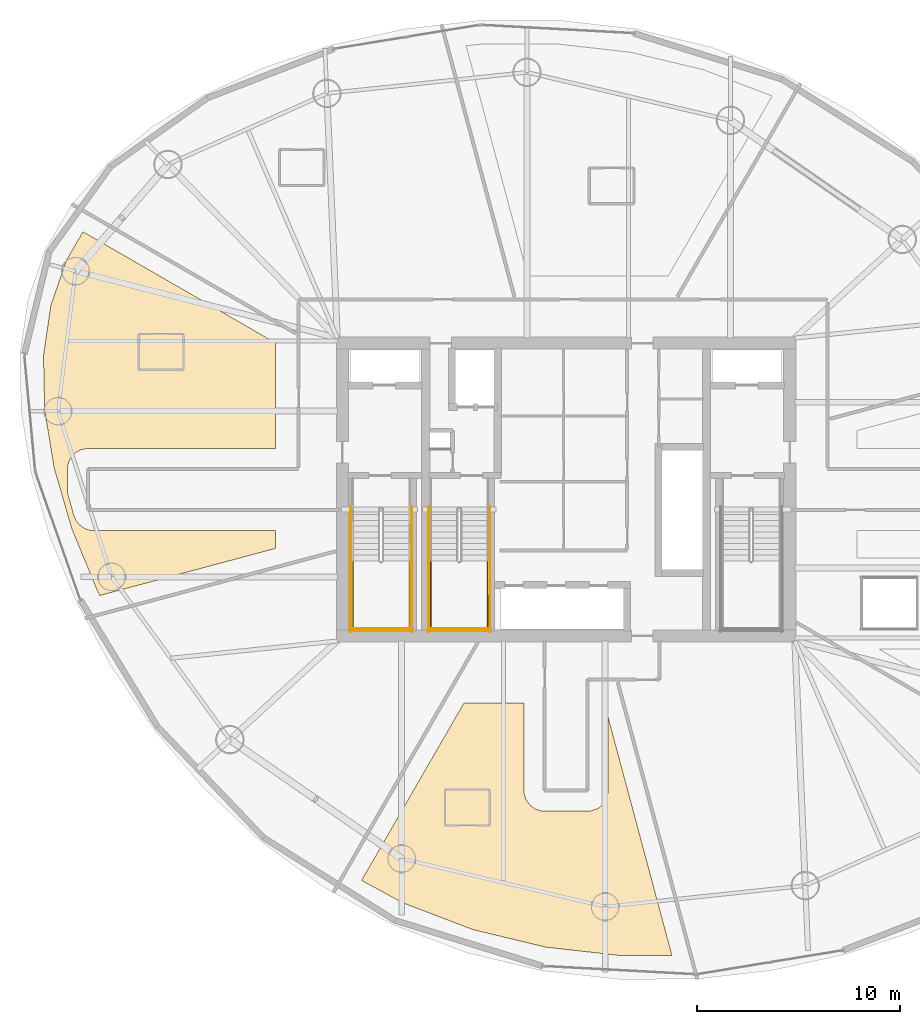
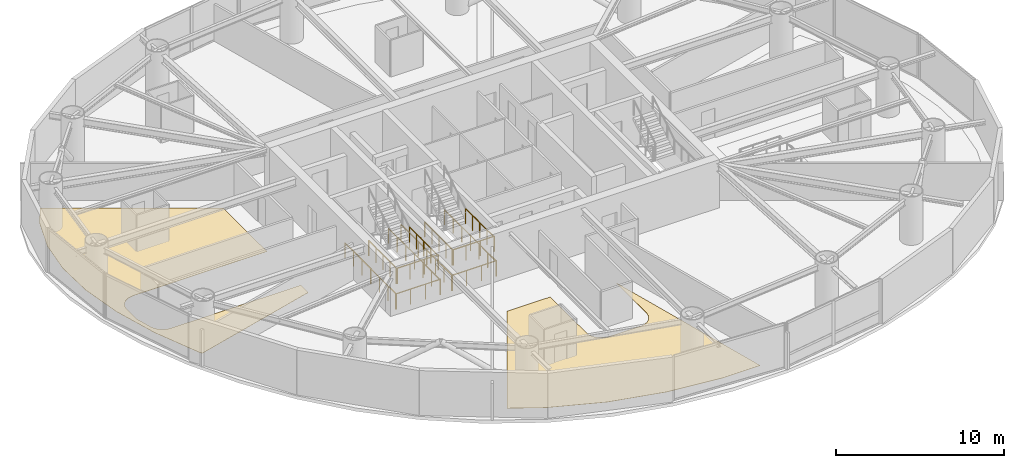
# One storey, part 18 of 20: 12 railings, 2 coverings.
"""IFC4 building model written with IfcOpenShell, lengths in metres."""

from ifc_helpers import new_model, si_unit, direction, frame, origin, origin_2d, place, context, subcontext, project, spatial, polyline, circle, outline, extrude, material, layer, layer_set, type_object, element, save


model = new_model("IFC4")

# Units and contexts
model_context = context("Model", 3, precision=1e-05, world=origin(), true_north=direction((0.0, 1.0)))
body_context = subcontext(model_context, "Body", "Model", "MODEL_VIEW")
ifc_project = project(units=[si_unit("LENGTHUNIT", "METRE"), si_unit("AREAUNIT", "SQUARE_METRE"), si_unit("VOLUMEUNIT", "CUBIC_METRE"), si_unit("PLANEANGLEUNIT", "RADIAN"), si_unit("MASSUNIT", "GRAM", prefix="KILO")], contexts=[model_context])

# Site, building, storey
site_placement = place(None, origin())
site = spatial("IfcSite", under=ifc_project, at=site_placement, CompositionType="ELEMENT")
building_placement = place(site_placement, origin())
building = spatial("IfcBuilding", under=site, at=building_placement, Name="Bramvorn Convention Spire", CompositionType="ELEMENT")
storey_placement = place(building_placement, frame((0.0, 0.0, 130.800048828125)))
storey = spatial("IfcBuildingStorey", under=building, at=storey_placement, Name="L32", CompositionType="ELEMENT", Elevation=130.800048828125)

# Coverings
ifc_material_1 = material(Name="Solution-Dyed Wool Broadloom Hospitality Carpet", Category="textile")
ifc_layer = layer(ifc_material_1, 0.014892578125)
ifc_layer_set = layer_set([ifc_layer], Name="Solution-Dyed Wool Broadloom Hospitality Carpet - FLR-CARPET-15")
covering_type = type_object("IfcCoveringType", Name="FLR-CARPET-15", PredefinedType="FLOORING", material=ifc_layer_set)
covering_1_placement = place(storey_placement, origin())
element("IfcCovering", 1, at=covering_1_placement, inside=storey, type_object=covering_type, Name="Hotel Suite 3204 wool broadloom carpet", PredefinedType="FLOORING", context=body_context, shape_type="SweptSolid", body=[
    extrude(outline(polyline([(14.968017578125, 20.978271484375), (15.0703125, 20.787841796875), (23.699951171875, 23.10009765625), (23.699951171875, 23.97998046875), (14.720947265625, 23.981689453125), (14.436279296875, 24.038818359375), (14.24365234375, 24.130859375), (14.0205078125, 24.31640625), (13.900634765625, 24.478759765625), (13.7978515625, 24.71533203125), (13.4912109375, 25.804443359375), (13.481689453125, 27.055908203125), (13.537841796875, 27.337890625), (13.67724609375, 27.602783203125), (13.8876953125, 27.815673828125), (14.15087890625, 27.958251953125), (14.5, 28.02001953125), (23.699951171875, 28.02001953125), (23.699951171875, 33.216796875), (14.244384765625, 38.67626953125), (13.43798828125, 37.29736328125), (12.662109375, 35.054443359375), (12.3017578125, 32.59912109375), (12.355712890625, 29.928955078125), (12.822509765625, 27.0673828125), (13.6962890625, 24.0615234375), (14.968017578125, 20.978271484375)])), origin(), (0.0, 0.0, 1.0), 0.014892578125),
])
covering_2_placement = place(storey_placement, origin())
element("IfcCovering", 2, at=covering_2_placement, inside=storey, type_object=covering_type, Name="Hotel Suite 3206 wool broadloom carpet", PredefinedType="FLOORING", context=body_context, shape_type="SweptSolid", body=[
    extrude(outline(polyline([(40.68798828125, 3.080078125), (43.20703125, 3.089599609375), (40.070068359375, 14.79736328125), (40.06884765625, 11.15576171875), (40.01220703125, 10.862060546875), (39.872802734375, 10.59716796875), (39.73046875, 10.4404296875), (39.5693359375, 10.322265625), (39.19384765625, 10.190185546875), (36.80615234375, 10.190185546875), (36.508544921875, 10.280517578125), (36.2607421875, 10.4482421875), (36.030517578125, 10.758544921875), (35.94189453125, 11.04443359375), (35.929931640625, 15.5), (32.97705078125, 15.5), (27.940185546875, 6.77587890625), (29.9716796875, 5.673583984375), (33.42236328125, 4.354736328125), (37.017333984375, 3.4921875), (40.68798828125, 3.080078125)])), origin(), (0.0, 0.0, 1.0), 0.014892578125),
])

# Railings
ifc_material_2 = material(Name="Painted Steel Balustrade & Guardrail", Category="steel")
railing_type = type_object("IfcRailingType", Name="RL-STAIR-GUARD-1100", PredefinedType="GUARDRAIL", material=ifc_material_2)
for number, where, name in (
    (3, (27.5, 22.485107421875, 1.75), "L32 ST1 stair guard 3"),
    (4, (30.300048828125, 22.485107421875, 1.75), "L32 ST1 stair guard 4"),
):
    element("IfcRailing", number, at=place(storey_placement, frame(where)), inside=storey, type_object=railing_type, Name=name, PredefinedType="GUARDRAIL", context=body_context, shape_type="SweptSolid", body=[
        extrude(circle(Radius=0.02392578125, at=origin_2d()), frame((0.0, 0.0, 1.076171875), z_axis=(0.0, -1.0, 0.0), x_axis=(1.0, 0.0, 0.0)), (0.0, 0.0, 1.0), 3.385009765625),
        extrude(circle(Radius=0.02099609375, at=origin_2d()), origin(), (0.0, 0.0, 1.0), 1.052001953125),
        extrude(circle(Radius=0.02099609375, at=origin_2d()), frame((0.0, -0.84619140625, 0.0)), (0.0, 0.0, 1.0), 1.052001953125),
        extrude(circle(Radius=0.02099609375, at=origin_2d()), frame((0.0, -1.6923828125, 0.0)), (0.0, 0.0, 1.0), 1.052001953125),
        extrude(circle(Radius=0.02099609375, at=origin_2d()), frame((0.0, -2.538818359375, 0.0)), (0.0, 0.0, 1.0), 1.052001953125),
        extrude(circle(Radius=0.02099609375, at=origin_2d()), frame((0.0, -3.385009765625, 0.0)), (0.0, 0.0, 1.0), 1.052001953125),
    ])
railing_1_placement = place(storey_placement, frame((27.449951171875, 19.14990234375, 1.75)))
element("IfcRailing", 5, at=railing_1_placement, inside=storey, type_object=railing_type, Name="L32 ST1 stair guard 5", PredefinedType="GUARDRAIL", context=body_context, shape_type="SweptSolid", body=[
    extrude(circle(Radius=0.02392578125, at=origin_2d()), frame((0.0, 0.0, 1.076171875), z_axis=(1.0, 0.0, 0.0), x_axis=(0.0, 1.0, 0.0)), (0.0, 0.0, 1.0), 2.900146484375),
    extrude(circle(Radius=0.02099609375, at=origin_2d()), origin(), (0.0, 0.0, 1.0), 1.052001953125),
    extrude(circle(Radius=0.02099609375, at=origin_2d()), frame((0.966796875, 0.0, 0.0)), (0.0, 0.0, 1.0), 1.052001953125),
    extrude(circle(Radius=0.02099609375, at=origin_2d()), frame((1.933349609375, 0.0, 0.0)), (0.0, 0.0, 1.0), 1.052001953125),
    extrude(circle(Radius=0.02099609375, at=origin_2d()), frame((2.900146484375, 0.0, 0.0)), (0.0, 0.0, 1.0), 1.052001953125),
])
for number, where, name in (
    (6, (27.39990234375, 25.14990234375, 0.0), "L32 ST1 stair guard 10"),
    (7, (30.39990234375, 25.14990234375, 0.0), "L32 ST1 stair guard 11"),
):
    element("IfcRailing", number, at=place(storey_placement, frame(where)), inside=storey, type_object=railing_type, Name=name, PredefinedType="GUARDRAIL", context=body_context, shape_type="SweptSolid", body=[
        extrude(circle(Radius=0.02392578125, at=origin_2d()), frame((0.0, 0.0, 1.076171875), z_axis=(0.0, -1.0, 0.0), x_axis=(1.0, 0.0, 0.0)), (0.0, 0.0, 1.0), 6.14990234375),
        extrude(circle(Radius=0.02099609375, at=origin_2d()), origin(), (0.0, 0.0, 1.0), 1.052001953125),
        extrude(circle(Radius=0.02099609375, at=origin_2d()), frame((0.0, -1.02490234375, 0.0)), (0.0, 0.0, 1.0), 1.052001953125),
        extrude(circle(Radius=0.02099609375, at=origin_2d()), frame((0.0, -2.050048828125, 0.0)), (0.0, 0.0, 1.0), 1.052001953125),
        extrude(circle(Radius=0.02099609375, at=origin_2d()), frame((0.0, -3.074951171875, 0.0)), (0.0, 0.0, 1.0), 1.052001953125),
        extrude(circle(Radius=0.02099609375, at=origin_2d()), frame((0.0, -4.099853515625, 0.0)), (0.0, 0.0, 1.0), 1.052001953125),
        extrude(circle(Radius=0.02099609375, at=origin_2d()), frame((0.0, -5.125, 0.0)), (0.0, 0.0, 1.0), 1.052001953125),
        extrude(circle(Radius=0.02099609375, at=origin_2d()), frame((0.0, -6.14990234375, 0.0)), (0.0, 0.0, 1.0), 1.052001953125),
    ])
railing_2_placement = place(storey_placement, frame((27.35009765625, 19.050048828125, 0.0)))
element("IfcRailing", 8, at=railing_2_placement, inside=storey, type_object=railing_type, Name="L32 ST1 stair guard 12", PredefinedType="GUARDRAIL", context=body_context, shape_type="SweptSolid", body=[
    extrude(circle(Radius=0.02392578125, at=origin_2d()), frame((0.0, 0.0, 1.076171875), z_axis=(1.0, 0.0, 0.0), x_axis=(0.0, 1.0, 0.0)), (0.0, 0.0, 1.0), 3.099853515625),
    extrude(circle(Radius=0.02099609375, at=origin_2d()), origin(), (0.0, 0.0, 1.0), 1.052001953125),
    extrude(circle(Radius=0.02099609375, at=origin_2d()), frame((1.033203125, 0.0, 0.0)), (0.0, 0.0, 1.0), 1.052001953125),
    extrude(circle(Radius=0.02099609375, at=origin_2d()), frame((2.066650390625, 0.0, 0.0)), (0.0, 0.0, 1.0), 1.052001953125),
    extrude(circle(Radius=0.02099609375, at=origin_2d()), frame((3.099853515625, 0.0, 0.0)), (0.0, 0.0, 1.0), 1.052001953125),
])
for number, where, name in (
    (9, (31.35009765625, 22.485107421875, 1.75), "L32 ST3 stair guard 3"),
    (10, (34.14990234375, 22.485107421875, 1.75), "L32 ST3 stair guard 4"),
):
    element("IfcRailing", number, at=place(storey_placement, frame(where)), inside=storey, type_object=railing_type, Name=name, PredefinedType="GUARDRAIL", context=body_context, shape_type="SweptSolid", body=[
        extrude(circle(Radius=0.02392578125, at=origin_2d()), frame((0.0, 0.0, 1.076171875), z_axis=(0.0, -1.0, 0.0), x_axis=(1.0, 0.0, 0.0)), (0.0, 0.0, 1.0), 3.385009765625),
        extrude(circle(Radius=0.02099609375, at=origin_2d()), origin(), (0.0, 0.0, 1.0), 1.052001953125),
        extrude(circle(Radius=0.02099609375, at=origin_2d()), frame((0.0, -0.84619140625, 0.0)), (0.0, 0.0, 1.0), 1.052001953125),
        extrude(circle(Radius=0.02099609375, at=origin_2d()), frame((0.0, -1.6923828125, 0.0)), (0.0, 0.0, 1.0), 1.052001953125),
        extrude(circle(Radius=0.02099609375, at=origin_2d()), frame((0.0, -2.538818359375, 0.0)), (0.0, 0.0, 1.0), 1.052001953125),
        extrude(circle(Radius=0.02099609375, at=origin_2d()), frame((0.0, -3.385009765625, 0.0)), (0.0, 0.0, 1.0), 1.052001953125),
    ])
railing_3_placement = place(storey_placement, frame((31.300048828125, 19.14990234375, 1.75)))
element("IfcRailing", 11, at=railing_3_placement, inside=storey, type_object=railing_type, Name="L32 ST3 stair guard 5", PredefinedType="GUARDRAIL", context=body_context, shape_type="SweptSolid", body=[
    extrude(circle(Radius=0.02392578125, at=origin_2d()), frame((0.0, 0.0, 1.076171875), z_axis=(1.0, 0.0, 0.0), x_axis=(0.0, 1.0, 0.0)), (0.0, 0.0, 1.0), 2.89990234375),
    extrude(circle(Radius=0.02099609375, at=origin_2d()), origin(), (0.0, 0.0, 1.0), 1.052001953125),
    extrude(circle(Radius=0.02099609375, at=origin_2d()), frame((0.966552734375, 0.0, 0.0)), (0.0, 0.0, 1.0), 1.052001953125),
    extrude(circle(Radius=0.02099609375, at=origin_2d()), frame((1.933349609375, 0.0, 0.0)), (0.0, 0.0, 1.0), 1.052001953125),
    extrude(circle(Radius=0.02099609375, at=origin_2d()), frame((2.89990234375, 0.0, 0.0)), (0.0, 0.0, 1.0), 1.052001953125),
])
for number, where, name in (
    (12, (31.25, 25.14990234375, 0.0), "L32 ST3 stair guard 10"),
    (13, (34.25, 25.14990234375, 0.0), "L32 ST3 stair guard 11"),
):
    element("IfcRailing", number, at=place(storey_placement, frame(where)), inside=storey, type_object=railing_type, Name=name, PredefinedType="GUARDRAIL", context=body_context, shape_type="SweptSolid", body=[
        extrude(circle(Radius=0.02392578125, at=origin_2d()), frame((0.0, 0.0, 1.076171875), z_axis=(0.0, -1.0, 0.0), x_axis=(1.0, 0.0, 0.0)), (0.0, 0.0, 1.0), 6.14990234375),
        extrude(circle(Radius=0.02099609375, at=origin_2d()), origin(), (0.0, 0.0, 1.0), 1.052001953125),
        extrude(circle(Radius=0.02099609375, at=origin_2d()), frame((0.0, -1.02490234375, 0.0)), (0.0, 0.0, 1.0), 1.052001953125),
        extrude(circle(Radius=0.02099609375, at=origin_2d()), frame((0.0, -2.050048828125, 0.0)), (0.0, 0.0, 1.0), 1.052001953125),
        extrude(circle(Radius=0.02099609375, at=origin_2d()), frame((0.0, -3.074951171875, 0.0)), (0.0, 0.0, 1.0), 1.052001953125),
        extrude(circle(Radius=0.02099609375, at=origin_2d()), frame((0.0, -4.099853515625, 0.0)), (0.0, 0.0, 1.0), 1.052001953125),
        extrude(circle(Radius=0.02099609375, at=origin_2d()), frame((0.0, -5.125, 0.0)), (0.0, 0.0, 1.0), 1.052001953125),
        extrude(circle(Radius=0.02099609375, at=origin_2d()), frame((0.0, -6.14990234375, 0.0)), (0.0, 0.0, 1.0), 1.052001953125),
    ])
railing_4_placement = place(storey_placement, frame((31.199951171875, 19.050048828125, 0.0)))
element("IfcRailing", 14, at=railing_4_placement, inside=storey, type_object=railing_type, Name="L32 ST3 stair guard 12", PredefinedType="GUARDRAIL", context=body_context, shape_type="SweptSolid", body=[
    extrude(circle(Radius=0.02392578125, at=origin_2d()), frame((0.0, 0.0, 1.076171875), z_axis=(1.0, 0.0, 0.0), x_axis=(0.0, 1.0, 0.0)), (0.0, 0.0, 1.0), 3.10009765625),
    extrude(circle(Radius=0.02099609375, at=origin_2d()), origin(), (0.0, 0.0, 1.0), 1.052001953125),
    extrude(circle(Radius=0.02099609375, at=origin_2d()), frame((1.033447265625, 0.0, 0.0)), (0.0, 0.0, 1.0), 1.052001953125),
    extrude(circle(Radius=0.02099609375, at=origin_2d()), frame((2.066650390625, 0.0, 0.0)), (0.0, 0.0, 1.0), 1.052001953125),
    extrude(circle(Radius=0.02099609375, at=origin_2d()), frame((3.10009765625, 0.0, 0.0)), (0.0, 0.0, 1.0), 1.052001953125),
])

save(model, "model.ifc")
